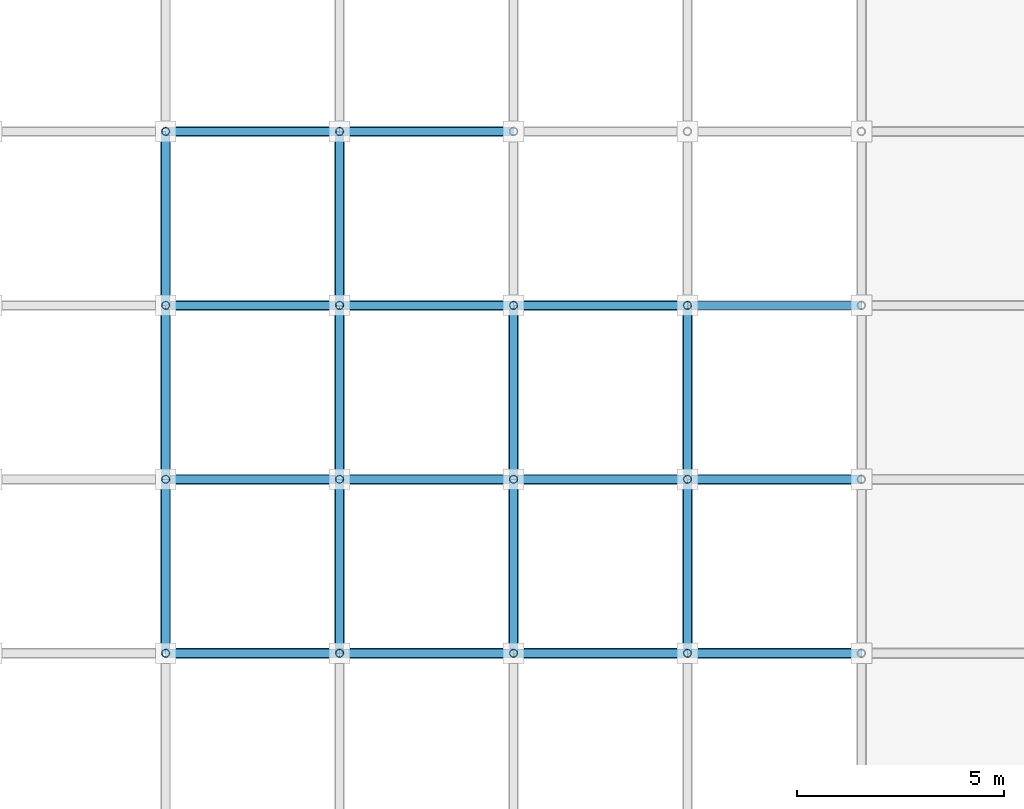
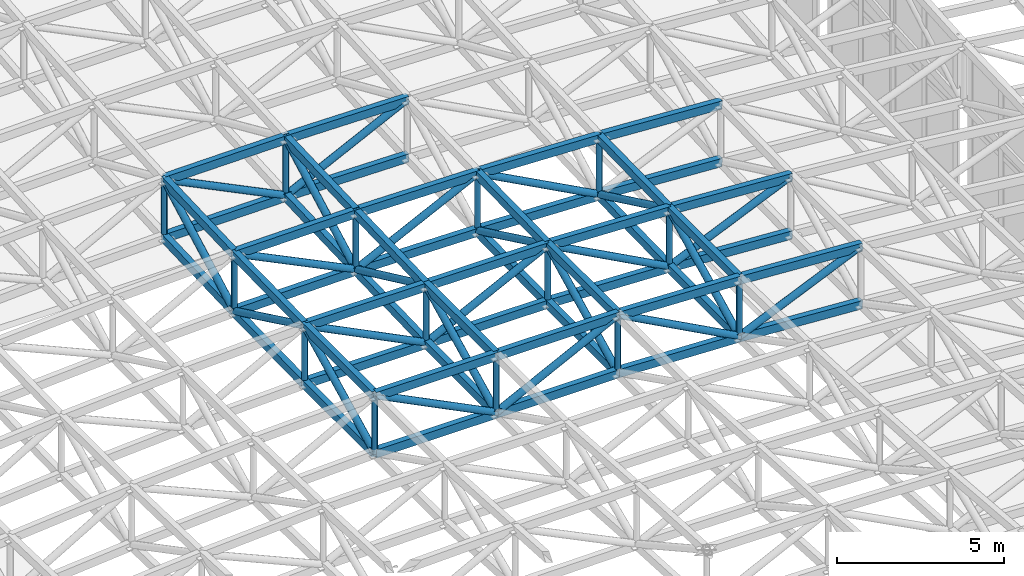
# One storey, part 46 of 123: 85 members.
"""IFC4 building model written with IfcOpenShell, lengths in metres."""

from ifc_helpers import new_model, si_unit, direction, frame, origin, origin_2d, place, context, subcontext, project, spatial, hollow_rectangle, hollow_circle, extrude, material, material_profile, profile_set, type_object, element, save


model = new_model("IFC4")

# Units and contexts
model_context = context("Model", 3, precision=1e-05, world=origin(), true_north=direction((0.0, 1.0)))
body_context = subcontext(model_context, "Body", "Model", "MODEL_VIEW")
ifc_project = project(units=[si_unit("LENGTHUNIT", "METRE"), si_unit("AREAUNIT", "SQUARE_METRE"), si_unit("VOLUMEUNIT", "CUBIC_METRE"), si_unit("PLANEANGLEUNIT", "RADIAN"), si_unit("MASSUNIT", "GRAM", prefix="KILO")], contexts=[model_context])

# Site, building, storey
site_placement = place(None, origin())
site = spatial("IfcSite", under=ifc_project, at=site_placement, CompositionType="ELEMENT")
building_placement = place(site_placement, origin())
building = spatial("IfcBuilding", under=site, at=building_placement, Name="Cumbredor Promenade Congress Hotel", CompositionType="ELEMENT")
storey_placement = place(building_placement, frame((0.0, 0.0, 11.760009765625)))
storey = spatial("IfcBuildingStorey", under=building, at=storey_placement, Name="L03", CompositionType="ELEMENT", Elevation=11.760009765625)

# Members
ifc_material = material(Name="Steel ASTM A500 Grade C", Category="steel")
ifc_material_profile_1 = material_profile(ifc_material, hollow_rectangle(XDim=0.199951171875, YDim=0.300048828125, WallThickness=0.012451171875, at=origin_2d()), Name="HSS 300x200x12.5")
ifc_profile_set_1 = profile_set([ifc_material_profile_1], Name="Steel ASTM A500 Grade C")
member_type_1 = type_object("IfcMemberType", Name="Ballroom Roof Space Frame Chord", PredefinedType="CHORD", material=ifc_profile_set_1)
for number, where, z_axis, x_axis, name in (
    (1, (159.60009765625, 33.60009765625, 6.489013671875), (0.99999999831, 0.0, 5.8129396e-05), (0.0, 1.0, 0.0), "Grand Ballroom Pavilion X Top Chord 6.9"),
    (2, (159.60009765625, 33.60009765625, 4.38916015625), (0.99999999831, 0.0, 5.8129396e-05), (0.0, 1.0, 0.0), "Grand Ballroom Pavilion X Bottom Chord 6.9"),
    (3, (163.800048828125, 33.60009765625, 6.4892578125), (0.99999999831, 0.0, -5.8129396e-05), (0.0, 1.0, 0.0), "Grand Ballroom Pavilion X Top Chord 7.9"),
    (4, (163.800048828125, 33.60009765625, 4.389404296875), (0.99999999831, 0.0, -5.8129396e-05), (0.0, 1.0, 0.0), "Grand Ballroom Pavilion X Bottom Chord 7.9"),
):
    element("IfcMember", number, at=place(storey_placement, frame(where, z_axis=z_axis, x_axis=x_axis)), inside=storey, type_object=member_type_1, Name=name, PredefinedType="CHORD", context=body_context, shape_type="SweptSolid", body=[
        extrude(hollow_rectangle(XDim=0.199951171875, YDim=0.300048828125, WallThickness=0.012451171875, at=origin_2d()), origin(), (0.0, 0.0, 1.0), 4.199951171875),
    ])
for number, where, z_axis, x_axis, name in (
    (5, (168.0, 33.60009765625, 6.489013671875), (0.999295683842, 0.0, -0.037525141647), (0.0, 1.0, 0.0), "Grand Ballroom Pavilion X Top Chord 8.9"),
    (6, (168.0, 33.60009765625, 4.38916015625), (0.999295683842, 0.0, -0.037525141647), (0.0, 1.0, 0.0), "Grand Ballroom Pavilion X Bottom Chord 8.9"),
):
    element("IfcMember", number, at=place(storey_placement, frame(where, z_axis=z_axis, x_axis=x_axis)), inside=storey, type_object=member_type_1, Name=name, PredefinedType="CHORD", context=body_context, shape_type="SweptSolid", body=[
        extrude(hollow_rectangle(XDim=0.199951171875, YDim=0.300048828125, WallThickness=0.012451171875, at=origin_2d()), origin(), (0.0, 0.0, 1.0), 4.202880859375),
    ])
for number, where, z_axis, x_axis, name in (
    (7, (172.199951171875, 33.60009765625, 6.331298828125), (0.998049642716, 0.0, -0.062425240688), (0.0, 1.0, 0.0), "Grand Ballroom Pavilion X Top Chord 9.9"),
    (8, (172.199951171875, 33.60009765625, 4.2314453125), (0.998049642716, 0.0, -0.062425240688), (0.0, 1.0, 0.0), "Grand Ballroom Pavilion X Bottom Chord 9.9"),
):
    element("IfcMember", number, at=place(storey_placement, frame(where, z_axis=z_axis, x_axis=x_axis)), inside=storey, type_object=member_type_1, Name=name, PredefinedType="CHORD", context=body_context, shape_type="SweptSolid", body=[
        extrude(hollow_rectangle(XDim=0.199951171875, YDim=0.300048828125, WallThickness=0.012451171875, at=origin_2d()), origin(), (0.0, 0.0, 1.0), 4.208251953125),
    ])
for number, where, z_axis, x_axis, name in (
    (9, (159.60009765625, 37.800048828125, 6.489013671875), (0.99999999831, 0.0, 5.8129396e-05), (0.0, 1.0, 0.0), "Grand Ballroom Pavilion X Top Chord 6.10"),
    (10, (159.60009765625, 37.800048828125, 4.38916015625), (1.0, 0.0, 0.0), (0.0, 1.0, 0.0), "Grand Ballroom Pavilion X Bottom Chord 6.10"),
    (11, (163.800048828125, 37.800048828125, 6.4892578125), (0.99999999831, 0.0, -5.8129396e-05), (0.0, 1.0, 0.0), "Grand Ballroom Pavilion X Top Chord 7.10"),
    (12, (163.800048828125, 37.800048828125, 4.38916015625), (1.0, 0.0, 0.0), (0.0, 1.0, 0.0), "Grand Ballroom Pavilion X Bottom Chord 7.10"),
):
    element("IfcMember", number, at=place(storey_placement, frame(where, z_axis=z_axis, x_axis=x_axis)), inside=storey, type_object=member_type_1, Name=name, PredefinedType="CHORD", context=body_context, shape_type="SweptSolid", body=[
        extrude(hollow_rectangle(XDim=0.199951171875, YDim=0.300048828125, WallThickness=0.012451171875, at=origin_2d()), origin(), (0.0, 0.0, 1.0), 4.199951171875),
    ])
for number, where, z_axis, x_axis, name in (
    (13, (168.0, 37.800048828125, 6.489013671875), (0.999295683842, 0.0, -0.037525141647), (0.0, 1.0, 0.0), "Grand Ballroom Pavilion X Top Chord 8.10"),
    (14, (168.0, 37.800048828125, 4.38916015625), (0.999295683842, 0.0, -0.037525141647), (0.0, 1.0, 0.0), "Grand Ballroom Pavilion X Bottom Chord 8.10"),
):
    element("IfcMember", number, at=place(storey_placement, frame(where, z_axis=z_axis, x_axis=x_axis)), inside=storey, type_object=member_type_1, Name=name, PredefinedType="CHORD", context=body_context, shape_type="SweptSolid", body=[
        extrude(hollow_rectangle(XDim=0.199951171875, YDim=0.300048828125, WallThickness=0.012451171875, at=origin_2d()), origin(), (0.0, 0.0, 1.0), 4.202880859375),
    ])
for number, where, z_axis, x_axis, name in (
    (15, (172.199951171875, 37.800048828125, 6.331298828125), (0.998049642716, 0.0, -0.062425240688), (0.0, 1.0, 0.0), "Grand Ballroom Pavilion X Top Chord 9.10"),
    (16, (172.199951171875, 37.800048828125, 4.2314453125), (0.998049642716, 0.0, -0.062425240688), (0.0, 1.0, 0.0), "Grand Ballroom Pavilion X Bottom Chord 9.10"),
):
    element("IfcMember", number, at=place(storey_placement, frame(where, z_axis=z_axis, x_axis=x_axis)), inside=storey, type_object=member_type_1, Name=name, PredefinedType="CHORD", context=body_context, shape_type="SweptSolid", body=[
        extrude(hollow_rectangle(XDim=0.199951171875, YDim=0.300048828125, WallThickness=0.012451171875, at=origin_2d()), origin(), (0.0, 0.0, 1.0), 4.208251953125),
    ])
for number, where, z_axis, x_axis, name in (
    (17, (159.60009765625, 42.0, 6.569091796875), (0.999929696627, 0.0, 0.011857563106), (0.0, 1.0, 0.0), "Grand Ballroom Pavilion X Top Chord 6.11"),
    (18, (159.60009765625, 42.0, 4.468994140625), (0.999929005763, 0.0, 0.011915680183), (0.0, 1.0, 0.0), "Grand Ballroom Pavilion X Bottom Chord 6.11"),
    (19, (163.800048828125, 42.0, 6.618896484375), (0.999929696627, 0.0, -0.011857563106), (0.0, 1.0, 0.0), "Grand Ballroom Pavilion X Top Chord 7.11"),
    (20, (163.800048828125, 42.0, 4.51904296875), (0.999929005763, 0.0, -0.011915680183), (0.0, 1.0, 0.0), "Grand Ballroom Pavilion X Bottom Chord 7.11"),
):
    element("IfcMember", number, at=place(storey_placement, frame(where, z_axis=z_axis, x_axis=x_axis)), inside=storey, type_object=member_type_1, Name=name, PredefinedType="CHORD", context=body_context, shape_type="SweptSolid", body=[
        extrude(hollow_rectangle(XDim=0.199951171875, YDim=0.300048828125, WallThickness=0.012451171875, at=origin_2d()), origin(), (0.0, 0.0, 1.0), 4.2001953125),
    ])
for number, where, z_axis, x_axis, name in (
    (21, (168.0, 42.0, 6.569091796875), (0.99936780293, 0.0, -0.035552699843), (0.0, 1.0, 0.0), "Grand Ballroom Pavilion X Top Chord 8.11"),
    (22, (168.0, 42.0, 4.468994140625), (0.999369865295, 0.0, -0.035494680445), (0.0, 1.0, 0.0), "Grand Ballroom Pavilion X Bottom Chord 8.11"),
):
    element("IfcMember", number, at=place(storey_placement, frame(where, z_axis=z_axis, x_axis=x_axis)), inside=storey, type_object=member_type_1, Name=name, PredefinedType="CHORD", context=body_context, shape_type="SweptSolid", body=[
        extrude(hollow_rectangle(XDim=0.199951171875, YDim=0.300048828125, WallThickness=0.012451171875, at=origin_2d()), origin(), (0.0, 0.0, 1.0), 4.20263671875),
    ])
for number, where, z_axis, x_axis, name in (
    (23, (172.199951171875, 42.0, 6.419677734375), (0.998250278263, 0.0, -0.059130211797), (0.0, 1.0, 0.0), "Grand Ballroom Pavilion X Top Chord 9.11"),
    (24, (172.199951171875, 42.0, 4.31982421875), (0.998246851415, 0.0, -0.059188036298), (0.0, 1.0, 0.0), "Grand Ballroom Pavilion X Bottom Chord 9.11"),
):
    element("IfcMember", number, at=place(storey_placement, frame(where, z_axis=z_axis, x_axis=x_axis)), inside=storey, type_object=member_type_1, Name=name, PredefinedType="CHORD", context=body_context, shape_type="SweptSolid", body=[
        extrude(hollow_rectangle(XDim=0.199951171875, YDim=0.300048828125, WallThickness=0.012451171875, at=origin_2d()), origin(), (0.0, 0.0, 1.0), 4.207275390625),
    ])
for number, where, z_axis, x_axis, name in (
    (25, (159.60009765625, 46.199951171875, 6.7294921875), (0.999944654448, 0.0, 0.010520838369), (0.0, 1.0, 0.0), "Grand Ballroom Pavilion X Top Chord 6.12"),
    (26, (159.60009765625, 46.199951171875, 4.62939453125), (0.999944041257, 0.0, 0.01057895806), (0.0, 1.0, 0.0), "Grand Ballroom Pavilion X Bottom Chord 6.12"),
    (27, (163.800048828125, 46.199951171875, 6.773681640625), (0.999944654448, 0.0, -0.010520838369), (0.0, 1.0, 0.0), "Grand Ballroom Pavilion X Top Chord 7.12"),
    (28, (163.800048828125, 46.199951171875, 4.673828125), (0.999944041257, 0.0, -0.01057895806), (0.0, 1.0, 0.0), "Grand Ballroom Pavilion X Bottom Chord 7.12"),
):
    element("IfcMember", number, at=place(storey_placement, frame(where, z_axis=z_axis, x_axis=x_axis)), inside=storey, type_object=member_type_1, Name=name, PredefinedType="CHORD", context=body_context, shape_type="SweptSolid", body=[
        extrude(hollow_rectangle(XDim=0.199951171875, YDim=0.300048828125, WallThickness=0.012451171875, at=origin_2d()), origin(), (0.0, 0.0, 1.0), 4.2001953125),
    ])
for number, where, z_axis, x_axis, name in (
    (29, (159.60009765625, 33.60009765625, 6.489013671875), (0.0, 1.0, 0.0), (-1.0, 0.0, 0.0), "Grand Ballroom Pavilion Y Top Chord 6.9"),
    (30, (159.60009765625, 33.60009765625, 4.38916015625), (0.0, 1.0, 0.0), (-1.0, 0.0, 0.0), "Grand Ballroom Pavilion Y Bottom Chord 6.9"),
):
    element("IfcMember", number, at=place(storey_placement, frame(where, z_axis=z_axis, x_axis=x_axis)), inside=storey, type_object=member_type_1, Name=name, PredefinedType="CHORD", context=body_context, shape_type="SweptSolid", body=[
        extrude(hollow_rectangle(XDim=0.199951171875, YDim=0.300048828125, WallThickness=0.012451171875, at=origin_2d()), origin(), (0.0, 0.0, 1.0), 4.199951171875),
    ])
for number, where, z_axis, x_axis, name in (
    (31, (159.60009765625, 37.800048828125, 6.489013671875), (0.0, 0.999818284939, 0.01906297724), (-1.0, 0.0, 0.0), "Grand Ballroom Pavilion Y Top Chord 6.10"),
    (32, (159.60009765625, 37.800048828125, 4.38916015625), (0.0, 0.999819390969, 0.019004879431), (-1.0, 0.0, 0.0), "Grand Ballroom Pavilion Y Bottom Chord 6.10"),
):
    element("IfcMember", number, at=place(storey_placement, frame(where, z_axis=z_axis, x_axis=x_axis)), inside=storey, type_object=member_type_1, Name=name, PredefinedType="CHORD", context=body_context, shape_type="SweptSolid", body=[
        extrude(hollow_rectangle(XDim=0.199951171875, YDim=0.300048828125, WallThickness=0.012451171875, at=origin_2d()), origin(), (0.0, 0.0, 1.0), 4.20068359375),
    ])
for number, where, z_axis, x_axis, name in (
    (33, (159.60009765625, 42.0, 6.569091796875), (0.0, 0.999271520054, 0.038163191808), (-1.0, 0.0, 0.0), "Grand Ballroom Pavilion Y Top Chord 6.11"),
    (34, (159.60009765625, 42.0, 4.468994140625), (0.0, 0.999271520054, 0.038163191808), (-1.0, 0.0, 0.0), "Grand Ballroom Pavilion Y Bottom Chord 6.11"),
):
    element("IfcMember", number, at=place(storey_placement, frame(where, z_axis=z_axis, x_axis=x_axis)), inside=storey, type_object=member_type_1, Name=name, PredefinedType="CHORD", context=body_context, shape_type="SweptSolid", body=[
        extrude(hollow_rectangle(XDim=0.199951171875, YDim=0.300048828125, WallThickness=0.012451171875, at=origin_2d()), origin(), (0.0, 0.0, 1.0), 4.203125),
    ])
for number, where, z_axis, x_axis, name in (
    (35, (163.800048828125, 33.60009765625, 6.4892578125), (0.0, 1.0, 0.0), (-1.0, 0.0, 0.0), "Grand Ballroom Pavilion Y Top Chord 7.9"),
    (36, (163.800048828125, 33.60009765625, 4.389404296875), (0.0, 0.99999999831, -5.8129396e-05), (-1.0, 0.0, 0.0), "Grand Ballroom Pavilion Y Bottom Chord 7.9"),
):
    element("IfcMember", number, at=place(storey_placement, frame(where, z_axis=z_axis, x_axis=x_axis)), inside=storey, type_object=member_type_1, Name=name, PredefinedType="CHORD", context=body_context, shape_type="SweptSolid", body=[
        extrude(hollow_rectangle(XDim=0.199951171875, YDim=0.300048828125, WallThickness=0.012451171875, at=origin_2d()), origin(), (0.0, 0.0, 1.0), 4.199951171875),
    ])
for number, where, z_axis, x_axis, name in (
    (37, (163.800048828125, 37.800048828125, 6.4892578125), (0.0, 0.999523963261, 0.030852015607), (-1.0, 0.0, 0.0), "Grand Ballroom Pavilion Y Top Chord 7.10"),
    (38, (163.800048828125, 37.800048828125, 4.38916015625), (0.0, 0.999522169877, 0.030910061871), (-1.0, 0.0, 0.0), "Grand Ballroom Pavilion Y Bottom Chord 7.10"),
):
    element("IfcMember", number, at=place(storey_placement, frame(where, z_axis=z_axis, x_axis=x_axis)), inside=storey, type_object=member_type_1, Name=name, PredefinedType="CHORD", context=body_context, shape_type="SweptSolid", body=[
        extrude(hollow_rectangle(XDim=0.199951171875, YDim=0.300048828125, WallThickness=0.012451171875, at=origin_2d()), origin(), (0.0, 0.0, 1.0), 4.201904296875),
    ])
for number, where, z_axis, x_axis, name in (
    (39, (163.800048828125, 42.0, 6.618896484375), (0.0, 0.999321580979, 0.036829034607), (-1.0, 0.0, 0.0), "Grand Ballroom Pavilion Y Top Chord 7.11"),
    (40, (163.800048828125, 42.0, 4.51904296875), (0.0, 0.999321580979, 0.036829034607), (-1.0, 0.0, 0.0), "Grand Ballroom Pavilion Y Bottom Chord 7.11"),
):
    element("IfcMember", number, at=place(storey_placement, frame(where, z_axis=z_axis, x_axis=x_axis)), inside=storey, type_object=member_type_1, Name=name, PredefinedType="CHORD", context=body_context, shape_type="SweptSolid", body=[
        extrude(hollow_rectangle(XDim=0.199951171875, YDim=0.300048828125, WallThickness=0.012451171875, at=origin_2d()), origin(), (0.0, 0.0, 1.0), 4.202880859375),
    ])
for number, where, z_axis, x_axis, name in (
    (41, (168.0, 33.60009765625, 6.489013671875), (0.0, 1.0, 0.0), (-1.0, 0.0, 0.0), "Grand Ballroom Pavilion Y Top Chord 8.9"),
    (42, (168.0, 33.60009765625, 4.38916015625), (0.0, 1.0, 0.0), (-1.0, 0.0, 0.0), "Grand Ballroom Pavilion Y Bottom Chord 8.9"),
):
    element("IfcMember", number, at=place(storey_placement, frame(where, z_axis=z_axis, x_axis=x_axis)), inside=storey, type_object=member_type_1, Name=name, PredefinedType="CHORD", context=body_context, shape_type="SweptSolid", body=[
        extrude(hollow_rectangle(XDim=0.199951171875, YDim=0.300048828125, WallThickness=0.012451171875, at=origin_2d()), origin(), (0.0, 0.0, 1.0), 4.199951171875),
    ])
for number, where, z_axis, x_axis, name in (
    (43, (168.0, 37.800048828125, 6.489013671875), (0.0, 0.999818284939, 0.01906297724), (-1.0, 0.0, 0.0), "Grand Ballroom Pavilion Y Top Chord 8.10"),
    (44, (168.0, 37.800048828125, 4.38916015625), (0.0, 0.999819390969, 0.019004879431), (-1.0, 0.0, 0.0), "Grand Ballroom Pavilion Y Bottom Chord 8.10"),
):
    element("IfcMember", number, at=place(storey_placement, frame(where, z_axis=z_axis, x_axis=x_axis)), inside=storey, type_object=member_type_1, Name=name, PredefinedType="CHORD", context=body_context, shape_type="SweptSolid", body=[
        extrude(hollow_rectangle(XDim=0.199951171875, YDim=0.300048828125, WallThickness=0.012451171875, at=origin_2d()), origin(), (0.0, 0.0, 1.0), 4.20068359375),
    ])
for number, where, z_axis, x_axis, name in (
    (45, (172.199951171875, 33.60009765625, 6.331298828125), (0.0, 1.0, 0.0), (-1.0, 0.0, 0.0), "Grand Ballroom Pavilion Y Top Chord 9.9"),
    (46, (172.199951171875, 33.60009765625, 4.2314453125), (0.0, 1.0, 0.0), (-1.0, 0.0, 0.0), "Grand Ballroom Pavilion Y Bottom Chord 9.9"),
):
    element("IfcMember", number, at=place(storey_placement, frame(where, z_axis=z_axis, x_axis=x_axis)), inside=storey, type_object=member_type_1, Name=name, PredefinedType="CHORD", context=body_context, shape_type="SweptSolid", body=[
        extrude(hollow_rectangle(XDim=0.199951171875, YDim=0.300048828125, WallThickness=0.012451171875, at=origin_2d()), origin(), (0.0, 0.0, 1.0), 4.199951171875),
    ])
for number, where, z_axis, x_axis, name in (
    (47, (172.199951171875, 37.800048828125, 6.331298828125), (0.0, 0.999778672914, 0.021038184014), (-1.0, 0.0, 0.0), "Grand Ballroom Pavilion Y Top Chord 9.10"),
    (48, (172.199951171875, 37.800048828125, 4.2314453125), (0.0, 0.999778672914, 0.021038184014), (-1.0, 0.0, 0.0), "Grand Ballroom Pavilion Y Bottom Chord 9.10"),
):
    element("IfcMember", number, at=place(storey_placement, frame(where, z_axis=z_axis, x_axis=x_axis)), inside=storey, type_object=member_type_1, Name=name, PredefinedType="CHORD", context=body_context, shape_type="SweptSolid", body=[
        extrude(hollow_rectangle(XDim=0.199951171875, YDim=0.300048828125, WallThickness=0.012451171875, at=origin_2d()), origin(), (0.0, 0.0, 1.0), 4.200927734375),
    ])
ifc_material_profile_2 = material_profile(ifc_material, hollow_circle(Radius=0.122314453125, WallThickness=0.012451171875, at=origin_2d()), Name="CHS 244.5x12.5")
ifc_profile_set_2 = profile_set([ifc_material_profile_2], Name="Steel ASTM A500 Grade C")
member_type_2 = type_object("IfcMemberType", Name="Space Frame Web Diagonal D2", PredefinedType="BRACE", material=ifc_profile_set_2)
for number, where, z_axis, x_axis, name in (
    (49, (159.60009765625, 33.60009765625, 6.489013671875), (0.894458385419, 0.0, -0.447151201221), (0.0, 1.0, 0.0), "Grand Ballroom Pavilion X Web Diagonal 6.9"),
    (50, (163.800048828125, 33.60009765625, 4.389404296875), (0.894458385419, 0.0, 0.447151201221), (0.0, 1.0, 0.0), "Grand Ballroom Pavilion X Web Diagonal 7.9"),
):
    element("IfcMember", number, at=place(storey_placement, frame(where, z_axis=z_axis, x_axis=x_axis)), inside=storey, type_object=member_type_2, Name=name, PredefinedType="BRACE", context=body_context, shape_type="SweptSolid", body=[
        extrude(hollow_circle(Radius=0.122314453125, WallThickness=0.012451171875, at=origin_2d()), origin(), (0.0, 0.0, 1.0), 4.695556640625),
    ])
member_1_placement = place(storey_placement, frame((168.0, 33.60009765625, 6.489013671875), z_axis=(0.880816122988, 0.0, -0.473458506613), x_axis=(0.0, 1.0, 0.0)))
element("IfcMember", 51, at=member_1_placement, inside=storey, type_object=member_type_2, Name="Grand Ballroom Pavilion X Web Diagonal 8.9", PredefinedType="BRACE", context=body_context, shape_type="SweptSolid", body=[
    extrude(hollow_circle(Radius=0.122314453125, WallThickness=0.012451171875, at=origin_2d()), origin(), (0.0, 0.0, 1.0), 4.768310546875),
])
member_2_placement = place(storey_placement, frame((172.199951171875, 33.60009765625, 4.2314453125), z_axis=(0.916183001231, 0.0, 0.40076016301), x_axis=(0.0, 1.0, 0.0)))
element("IfcMember", 52, at=member_2_placement, inside=storey, type_object=member_type_2, Name="Grand Ballroom Pavilion X Web Diagonal 9.9", PredefinedType="BRACE", context=body_context, shape_type="SweptSolid", body=[
    extrude(hollow_circle(Radius=0.122314453125, WallThickness=0.012451171875, at=origin_2d()), origin(), (0.0, 0.0, 1.0), 4.584228515625),
])
for number, where, z_axis, x_axis, name in (
    (53, (159.60009765625, 37.800048828125, 6.489013671875), (0.894437589381, 0.0, -0.447192798132), (0.0, 1.0, 0.0), "Grand Ballroom Pavilion X Web Diagonal 6.10"),
    (54, (163.800048828125, 37.800048828125, 4.38916015625), (0.894437589381, 0.0, 0.447192798132), (0.0, 1.0, 0.0), "Grand Ballroom Pavilion X Web Diagonal 7.10"),
):
    element("IfcMember", number, at=place(storey_placement, frame(where, z_axis=z_axis, x_axis=x_axis)), inside=storey, type_object=member_type_2, Name=name, PredefinedType="BRACE", context=body_context, shape_type="SweptSolid", body=[
        extrude(hollow_circle(Radius=0.122314453125, WallThickness=0.012451171875, at=origin_2d()), origin(), (0.0, 0.0, 1.0), 4.695556640625),
    ])
member_3_placement = place(storey_placement, frame((168.0, 37.800048828125, 6.489013671875), z_axis=(0.880816122988, 0.0, -0.473458506613), x_axis=(0.0, 1.0, 0.0)))
element("IfcMember", 55, at=member_3_placement, inside=storey, type_object=member_type_2, Name="Grand Ballroom Pavilion X Web Diagonal 8.10", PredefinedType="BRACE", context=body_context, shape_type="SweptSolid", body=[
    extrude(hollow_circle(Radius=0.122314453125, WallThickness=0.012451171875, at=origin_2d()), origin(), (0.0, 0.0, 1.0), 4.768310546875),
])
member_4_placement = place(storey_placement, frame((172.199951171875, 37.800048828125, 4.2314453125), z_axis=(0.916183001231, 0.0, 0.40076016301), x_axis=(0.0, 1.0, 0.0)))
element("IfcMember", 56, at=member_4_placement, inside=storey, type_object=member_type_2, Name="Grand Ballroom Pavilion X Web Diagonal 9.10", PredefinedType="BRACE", context=body_context, shape_type="SweptSolid", body=[
    extrude(hollow_circle(Radius=0.122314453125, WallThickness=0.012451171875, at=origin_2d()), origin(), (0.0, 0.0, 1.0), 4.584228515625),
])
for number, where, z_axis, x_axis, name in (
    (57, (159.60009765625, 42.0, 6.569091796875), (0.898659472565, 0.0, -0.438646956411), (0.0, 1.0, 0.0), "Grand Ballroom Pavilion X Web Diagonal 6.11"),
    (58, (163.800048828125, 42.0, 4.51904296875), (0.898659472565, 0.0, 0.438646956411), (0.0, 1.0, 0.0), "Grand Ballroom Pavilion X Web Diagonal 7.11"),
):
    element("IfcMember", number, at=place(storey_placement, frame(where, z_axis=z_axis, x_axis=x_axis)), inside=storey, type_object=member_type_2, Name=name, PredefinedType="BRACE", context=body_context, shape_type="SweptSolid", body=[
        extrude(hollow_circle(Radius=0.122314453125, WallThickness=0.012451171875, at=origin_2d()), origin(), (0.0, 0.0, 1.0), 4.673583984375),
    ])
member_5_placement = place(storey_placement, frame((168.0, 42.0, 6.569091796875), z_axis=(0.881541667988, 0.0, -0.472106224913), x_axis=(0.0, 1.0, 0.0)))
element("IfcMember", 59, at=member_5_placement, inside=storey, type_object=member_type_2, Name="Grand Ballroom Pavilion X Web Diagonal 8.11", PredefinedType="BRACE", context=body_context, shape_type="SweptSolid", body=[
    extrude(hollow_circle(Radius=0.122314453125, WallThickness=0.012451171875, at=origin_2d()), origin(), (0.0, 0.0, 1.0), 4.764404296875),
])
for number, where, z_axis, x_axis, name in (
    (60, (159.60009765625, 46.199951171875, 6.7294921875), (0.898185580079, 0.0, -0.439616496208), (0.0, 1.0, 0.0), "Grand Ballroom Pavilion X Web Diagonal 6.12"),
    (61, (163.800048828125, 46.199951171875, 4.673828125), (0.898185580079, 0.0, 0.439616496208), (0.0, 1.0, 0.0), "Grand Ballroom Pavilion X Web Diagonal 7.12"),
):
    element("IfcMember", number, at=place(storey_placement, frame(where, z_axis=z_axis, x_axis=x_axis)), inside=storey, type_object=member_type_2, Name=name, PredefinedType="BRACE", context=body_context, shape_type="SweptSolid", body=[
        extrude(hollow_circle(Radius=0.122314453125, WallThickness=0.012451171875, at=origin_2d()), origin(), (0.0, 0.0, 1.0), 4.676025390625),
    ])
member_6_placement = place(storey_placement, frame((159.60009765625, 33.60009765625, 4.38916015625), z_axis=(0.0, 0.894437589381, 0.447192798132), x_axis=(-1.0, 0.0, 0.0)))
element("IfcMember", 62, at=member_6_placement, inside=storey, type_object=member_type_2, Name="Grand Ballroom Pavilion Y Web Diagonal 6.9", PredefinedType="BRACE", context=body_context, shape_type="SweptSolid", body=[
    extrude(hollow_circle(Radius=0.122314453125, WallThickness=0.012451171875, at=origin_2d()), origin(), (0.0, 0.0, 1.0), 4.695556640625),
])
member_7_placement = place(storey_placement, frame((159.60009765625, 37.800048828125, 6.489013671875), z_axis=(0.0, 0.901184355002, -0.433435991007), x_axis=(-1.0, 0.0, 0.0)))
element("IfcMember", 63, at=member_7_placement, inside=storey, type_object=member_type_2, Name="Grand Ballroom Pavilion Y Web Diagonal 6.10", PredefinedType="BRACE", context=body_context, shape_type="SweptSolid", body=[
    extrude(hollow_circle(Radius=0.122314453125, WallThickness=0.012451171875, at=origin_2d()), origin(), (0.0, 0.0, 1.0), 4.660400390625),
])
member_8_placement = place(storey_placement, frame((159.60009765625, 42.0, 4.468994140625), z_axis=(0.0, 0.880559838914, 0.47393498509), x_axis=(-1.0, 0.0, 0.0)))
element("IfcMember", 64, at=member_8_placement, inside=storey, type_object=member_type_2, Name="Grand Ballroom Pavilion Y Web Diagonal 6.11", PredefinedType="BRACE", context=body_context, shape_type="SweptSolid", body=[
    extrude(hollow_circle(Radius=0.122314453125, WallThickness=0.012451171875, at=origin_2d()), origin(), (0.0, 0.0, 1.0), 4.76953125),
])
member_9_placement = place(storey_placement, frame((163.800048828125, 33.60009765625, 4.389404296875), z_axis=(0.0, 0.894437589381, 0.447192798132), x_axis=(-1.0, 0.0, 0.0)))
element("IfcMember", 65, at=member_9_placement, inside=storey, type_object=member_type_2, Name="Grand Ballroom Pavilion Y Web Diagonal 7.9", PredefinedType="BRACE", context=body_context, shape_type="SweptSolid", body=[
    extrude(hollow_circle(Radius=0.122314453125, WallThickness=0.012451171875, at=origin_2d()), origin(), (0.0, 0.0, 1.0), 4.695556640625),
])
member_10_placement = place(storey_placement, frame((163.800048828125, 37.800048828125, 6.4892578125), z_axis=(0.0, 0.905335652912, -0.424696780736), x_axis=(-1.0, 0.0, 0.0)))
element("IfcMember", 66, at=member_10_placement, inside=storey, type_object=member_type_2, Name="Grand Ballroom Pavilion Y Web Diagonal 7.10", PredefinedType="BRACE", context=body_context, shape_type="SweptSolid", body=[
    extrude(hollow_circle(Radius=0.122314453125, WallThickness=0.012451171875, at=origin_2d()), origin(), (0.0, 0.0, 1.0), 4.63916015625),
])
member_11_placement = place(storey_placement, frame((163.800048828125, 42.0, 4.51904296875), z_axis=(0.0, 0.88107229816, 0.472981612132), x_axis=(-1.0, 0.0, 0.0)))
element("IfcMember", 67, at=member_11_placement, inside=storey, type_object=member_type_2, Name="Grand Ballroom Pavilion Y Web Diagonal 7.11", PredefinedType="BRACE", context=body_context, shape_type="SweptSolid", body=[
    extrude(hollow_circle(Radius=0.122314453125, WallThickness=0.012451171875, at=origin_2d()), origin(), (0.0, 0.0, 1.0), 4.766845703125),
])
member_12_placement = place(storey_placement, frame((168.0, 33.60009765625, 4.38916015625), z_axis=(0.0, 0.894437589381, 0.447192798132), x_axis=(-1.0, 0.0, 0.0)))
element("IfcMember", 68, at=member_12_placement, inside=storey, type_object=member_type_2, Name="Grand Ballroom Pavilion Y Web Diagonal 8.9", PredefinedType="BRACE", context=body_context, shape_type="SweptSolid", body=[
    extrude(hollow_circle(Radius=0.122314453125, WallThickness=0.012451171875, at=origin_2d()), origin(), (0.0, 0.0, 1.0), 4.695556640625),
])
member_13_placement = place(storey_placement, frame((168.0, 37.800048828125, 6.489013671875), z_axis=(0.0, 0.901184355002, -0.433435991007), x_axis=(-1.0, 0.0, 0.0)))
element("IfcMember", 69, at=member_13_placement, inside=storey, type_object=member_type_2, Name="Grand Ballroom Pavilion Y Web Diagonal 8.10", PredefinedType="BRACE", context=body_context, shape_type="SweptSolid", body=[
    extrude(hollow_circle(Radius=0.122314453125, WallThickness=0.012451171875, at=origin_2d()), origin(), (0.0, 0.0, 1.0), 4.660400390625),
])
member_14_placement = place(storey_placement, frame((172.199951171875, 33.60009765625, 4.2314453125), z_axis=(0.0, 0.894437589381, 0.447192798132), x_axis=(-1.0, 0.0, 0.0)))
element("IfcMember", 70, at=member_14_placement, inside=storey, type_object=member_type_2, Name="Grand Ballroom Pavilion Y Web Diagonal 9.9", PredefinedType="BRACE", context=body_context, shape_type="SweptSolid", body=[
    extrude(hollow_circle(Radius=0.122314453125, WallThickness=0.012451171875, at=origin_2d()), origin(), (0.0, 0.0, 1.0), 4.695556640625),
])
member_15_placement = place(storey_placement, frame((172.199951171875, 37.800048828125, 6.331298828125), z_axis=(0.0, 0.901899861467, -0.431945181575), x_axis=(-1.0, 0.0, 0.0)))
element("IfcMember", 71, at=member_15_placement, inside=storey, type_object=member_type_2, Name="Grand Ballroom Pavilion Y Web Diagonal 9.10", PredefinedType="BRACE", context=body_context, shape_type="SweptSolid", body=[
    extrude(hollow_circle(Radius=0.122314453125, WallThickness=0.012451171875, at=origin_2d()), origin(), (0.0, 0.0, 1.0), 4.65673828125),
])
ifc_material_profile_3 = material_profile(ifc_material, hollow_circle(Radius=0.096923828125, WallThickness=0.010009765625, at=origin_2d()), Name="CHS 193.7x10")
ifc_profile_set_3 = profile_set([ifc_material_profile_3], Name="Steel ASTM A500 Grade C")
member_type_3 = type_object("IfcMemberType", Name="Space Frame Web Post P1", PredefinedType="BRACE", material=ifc_profile_set_3)
for number, where, z_axis, x_axis, name in (
    (72, (159.60009765625, 33.60009765625, 4.38916015625), (0.0, 0.0, 1.0), (1.0, 0.0, 0.0), "Grand Ballroom Pavilion Space Frame Web Post 6.9"),
    (73, (159.60009765625, 37.800048828125, 4.38916015625), (0.0, 0.0, 1.0), (1.0, 0.0, 0.0), "Grand Ballroom Pavilion Space Frame Web Post 6.10"),
):
    element("IfcMember", number, at=place(storey_placement, frame(where, z_axis=z_axis, x_axis=x_axis)), inside=storey, type_object=member_type_3, Name=name, PredefinedType="BRACE", context=body_context, shape_type="SweptSolid", body=[
        extrude(hollow_circle(Radius=0.096923828125, WallThickness=0.010009765625, at=origin_2d()), origin(), (0.0, 0.0, 1.0), 2.099853515625),
    ])
for number, where, z_axis, x_axis, name in (
    (74, (159.60009765625, 42.0, 4.468994140625), (0.0, 0.0, 1.0), (1.0, 0.0, 0.0), "Grand Ballroom Pavilion Space Frame Web Post 6.11"),
    (75, (159.60009765625, 46.199951171875, 4.62939453125), (0.0, 0.0, 1.0), (1.0, 0.0, 0.0), "Grand Ballroom Pavilion Space Frame Web Post 6.12"),
):
    element("IfcMember", number, at=place(storey_placement, frame(where, z_axis=z_axis, x_axis=x_axis)), inside=storey, type_object=member_type_3, Name=name, PredefinedType="BRACE", context=body_context, shape_type="SweptSolid", body=[
        extrude(hollow_circle(Radius=0.096923828125, WallThickness=0.010009765625, at=origin_2d()), origin(), (0.0, 0.0, 1.0), 2.10009765625),
    ])
member_16_placement = place(storey_placement, frame((163.800048828125, 33.60009765625, 4.389404296875), z_axis=(0.0, 0.0, 1.0), x_axis=(1.0, 0.0, 0.0)))
element("IfcMember", 76, at=member_16_placement, inside=storey, type_object=member_type_3, Name="Grand Ballroom Pavilion Space Frame Web Post 7.9", PredefinedType="BRACE", context=body_context, shape_type="SweptSolid", body=[
    extrude(hollow_circle(Radius=0.096923828125, WallThickness=0.010009765625, at=origin_2d()), origin(), (0.0, 0.0, 1.0), 2.099853515625),
])
member_17_placement = place(storey_placement, frame((163.800048828125, 37.800048828125, 4.38916015625), z_axis=(0.0, 0.0, 1.0), x_axis=(1.0, 0.0, 0.0)))
element("IfcMember", 77, at=member_17_placement, inside=storey, type_object=member_type_3, Name="Grand Ballroom Pavilion Space Frame Web Post 7.10", PredefinedType="BRACE", context=body_context, shape_type="SweptSolid", body=[
    extrude(hollow_circle(Radius=0.096923828125, WallThickness=0.010009765625, at=origin_2d()), origin(), (0.0, 0.0, 1.0), 2.10009765625),
])
for number, where, z_axis, x_axis, name in (
    (78, (163.800048828125, 42.0, 4.51904296875), (0.0, 0.0, 1.0), (1.0, 0.0, 0.0), "Grand Ballroom Pavilion Space Frame Web Post 7.11"),
    (79, (163.800048828125, 46.199951171875, 4.673828125), (0.0, 0.0, 1.0), (1.0, 0.0, 0.0), "Grand Ballroom Pavilion Space Frame Web Post 7.12"),
    (80, (168.0, 33.60009765625, 4.38916015625), (0.0, 0.0, 1.0), (1.0, 0.0, 0.0), "Grand Ballroom Pavilion Space Frame Web Post 8.9"),
    (81, (168.0, 37.800048828125, 4.38916015625), (0.0, 0.0, 1.0), (1.0, 0.0, 0.0), "Grand Ballroom Pavilion Space Frame Web Post 8.10"),
):
    element("IfcMember", number, at=place(storey_placement, frame(where, z_axis=z_axis, x_axis=x_axis)), inside=storey, type_object=member_type_3, Name=name, PredefinedType="BRACE", context=body_context, shape_type="SweptSolid", body=[
        extrude(hollow_circle(Radius=0.096923828125, WallThickness=0.010009765625, at=origin_2d()), origin(), (0.0, 0.0, 1.0), 2.099853515625),
    ])
member_18_placement = place(storey_placement, frame((168.0, 42.0, 4.468994140625), z_axis=(0.0, 0.0, 1.0), x_axis=(1.0, 0.0, 0.0)))
element("IfcMember", 82, at=member_18_placement, inside=storey, type_object=member_type_3, Name="Grand Ballroom Pavilion Space Frame Web Post 8.11", PredefinedType="BRACE", context=body_context, shape_type="SweptSolid", body=[
    extrude(hollow_circle(Radius=0.096923828125, WallThickness=0.010009765625, at=origin_2d()), origin(), (0.0, 0.0, 1.0), 2.10009765625),
])
for number, where, z_axis, x_axis, name in (
    (83, (172.199951171875, 33.60009765625, 4.2314453125), (0.0, 0.0, 1.0), (1.0, 0.0, 0.0), "Grand Ballroom Pavilion Space Frame Web Post 9.9"),
    (84, (172.199951171875, 37.800048828125, 4.2314453125), (0.0, 0.0, 1.0), (1.0, 0.0, 0.0), "Grand Ballroom Pavilion Space Frame Web Post 9.10"),
    (85, (172.199951171875, 42.0, 4.31982421875), (0.0, 0.0, 1.0), (1.0, 0.0, 0.0), "Grand Ballroom Pavilion Space Frame Web Post 9.11"),
):
    element("IfcMember", number, at=place(storey_placement, frame(where, z_axis=z_axis, x_axis=x_axis)), inside=storey, type_object=member_type_3, Name=name, PredefinedType="BRACE", context=body_context, shape_type="SweptSolid", body=[
        extrude(hollow_circle(Radius=0.096923828125, WallThickness=0.010009765625, at=origin_2d()), origin(), (0.0, 0.0, 1.0), 2.099853515625),
    ])

save(model, "model.ifc")
